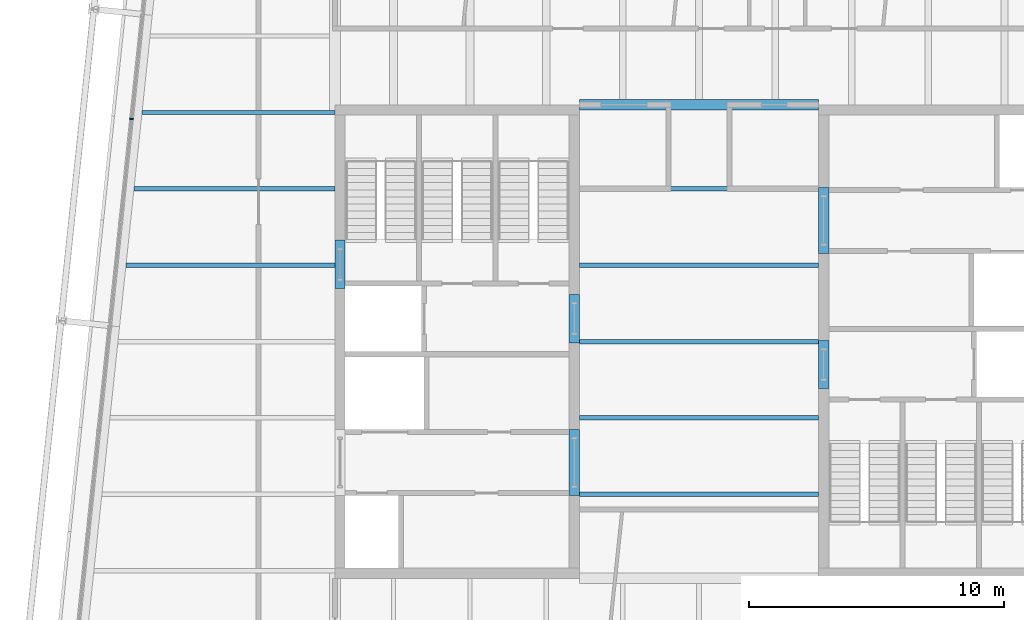
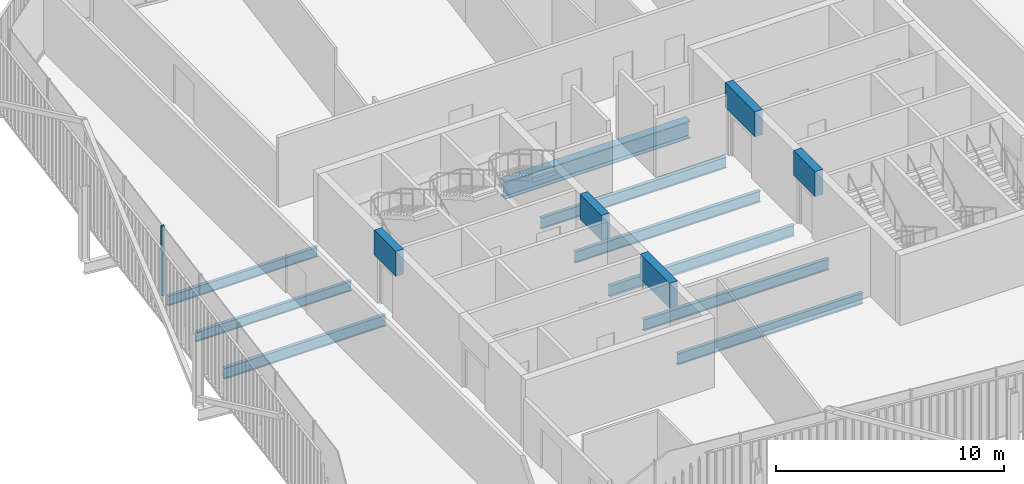
# One storey, part 8 of 21: 14 beams, 1 member, 1 element without a shape of its own.
"""IFC4 building model written with IfcOpenShell, lengths in metres."""

from ifc_helpers import new_model, si_unit, direction, frame, origin, origin_2d, place, context, subcontext, project, spatial, rectangle, i_section, extrude, material, layer, layer_set, material_profile, profile_set, type_object, element, aggregate, save


model = new_model("IFC4")

# Units and contexts
model_context = context("Model", 3, precision=1e-05, world=origin(), true_north=direction((0.0, 1.0)))
body_context = subcontext(model_context, "Body", "Model", "MODEL_VIEW")
ifc_project = project(units=[si_unit("LENGTHUNIT", "METRE"), si_unit("AREAUNIT", "SQUARE_METRE"), si_unit("VOLUMEUNIT", "CUBIC_METRE"), si_unit("PLANEANGLEUNIT", "RADIAN"), si_unit("MASSUNIT", "GRAM", prefix="KILO")], contexts=[model_context])

# Site, building, storey
site_placement = place(None, origin())
site = spatial("IfcSite", under=ifc_project, at=site_placement, CompositionType="ELEMENT")
building_placement = place(site_placement, origin())
building = spatial("IfcBuilding", under=site, at=building_placement, Name="Millrace Tower", CompositionType="ELEMENT")
storey_placement = place(building_placement, frame((0.0, 0.0, 283.800048828125)))
storey = spatial("IfcBuildingStorey", under=building, at=storey_placement, Name="L65", CompositionType="ELEMENT", Elevation=283.800048828125)

# Curtain wall, member
ifc_material_1 = material(Name="Aluminium and glass", Category="aluminium")
ifc_layer = layer(ifc_material_1, 0.14990234375)
ifc_layer_set = layer_set([ifc_layer], Name="Aluminium and glass")
curtain_wall_type = type_object("IfcCurtainWallType", Name="CW-1 office vision curtain wall", PredefinedType="NOTDEFINED", material=ifc_layer_set)
curtain_wall_placement = place(storey_placement, origin())
curtain_wall = element("IfcCurtainWall", 1, at=curtain_wall_placement, inside=storey, type_object=curtain_wall_type, Name="Curtain wall E-F08 L65", PredefinedType="NOTDEFINED")
ifc_material_2 = material(Name="Aluminium", Category="aluminium")
ifc_material_profile_1 = material_profile(ifc_material_2, rectangle(XDim=0.06494140625, YDim=0.14990234375, at=origin_2d()))
ifc_profile_set_1 = profile_set([ifc_material_profile_1], Name="Aluminium")
member_type = type_object("IfcMemberType", Name="CW-1 office vision curtain wall mullion", PredefinedType="MULLION", material=ifc_profile_set_1)
member_placement = place(storey_placement, frame((-22.2890625, 8.742431640625, 0.139892578125), z_axis=(0.0, 0.0, 1.0), x_axis=(-0.104528455196, -0.994521896217, 0.0)))
member = element("IfcMember", 2, at=member_placement, type_object=member_type, Name="CW1 mullion E-F08.5", PredefinedType="MULLION", context=body_context, shape_type="SweptSolid", body=[
    extrude(rectangle(XDim=0.06494140625, YDim=0.14990234375, at=origin_2d()), origin(), (0.0, 0.0, 1.0), 3.760009765625),
])
aggregate(curtain_wall, [member])

# Beams
ifc_material_3 = material(Name="Concrete C60", Category="concrete")
ifc_material_profile_2 = material_profile(ifc_material_3, rectangle(XDim=0.39990234375, YDim=1.340087890625, at=origin_2d()))
ifc_profile_set_2 = profile_set([ifc_material_profile_2], Name="Concrete C60")
beam_type_1 = type_object("IfcBeamType", Name="Coupling beam 400 x 1340 Concrete C60, 1300 opening", PredefinedType="BEAM", material=ifc_profile_set_2)
beam_1_placement = place(storey_placement, frame((-14.10009765625, 2.080078125, 3.070068359375), z_axis=(0.0, 1.0, 0.0), x_axis=(-1.0, 0.0, 0.0)))
element("IfcBeam", 3, at=beam_1_placement, inside=storey, type_object=beam_type_1, Name="Coupling beam W L65", PredefinedType="BEAM", context=body_context, shape_type="SweptSolid", body=[
    extrude(rectangle(XDim=0.39990234375, YDim=1.340087890625, at=origin_2d()), origin(), (0.0, 0.0, 1.0), 1.89990234375),
])
for number, where, z_axis, x_axis, name in (
    (4, (-4.89990234375, -0.050048828125, 3.070068359375), (0.0, 1.0, 0.0), (-1.0, 0.0, 0.0), "Coupling beam W L65"),
    (5, (4.89990234375, 0.050048828125, 3.070068359375), (0.0, -1.0, 0.0), (1.0, 0.0, 0.0), "Coupling beam E L65"),
):
    element("IfcBeam", number, at=place(storey_placement, frame(where, z_axis=z_axis, x_axis=x_axis)), inside=storey, type_object=beam_type_1, Name=name, PredefinedType="BEAM", context=body_context, shape_type="SweptSolid", body=[
        extrude(rectangle(XDim=0.39990234375, YDim=1.340087890625, at=origin_2d()), origin(), (0.0, 0.0, 1.0), 1.900146484375),
    ])
ifc_material_4 = material(Name="Concrete C60", Category="concrete")
ifc_material_profile_3 = material_profile(ifc_material_4, rectangle(XDim=0.39990234375, YDim=1.340087890625, at=origin_2d()))
ifc_profile_set_3 = profile_set([ifc_material_profile_3], Name="Concrete C60")
beam_type_2 = type_object("IfcBeamType", Name="Coupling beam 400 x 1340 Concrete C60, 2000 opening", PredefinedType="BEAM", material=ifc_profile_set_3)
for number, where, z_axis, x_axis, name in (
    (6, (-4.89990234375, -6.050048828125, 3.070068359375), (0.0, 1.0, 0.0), (-1.0, 0.0, 0.0), "Coupling beam W L65"),
    (7, (4.89990234375, 6.050048828125, 3.070068359375), (0.0, -1.0, 0.0), (1.0, 0.0, 0.0), "Coupling beam E L65"),
):
    element("IfcBeam", number, at=place(storey_placement, frame(where, z_axis=z_axis, x_axis=x_axis)), inside=storey, type_object=beam_type_2, Name=name, PredefinedType="BEAM", context=body_context, shape_type="SweptSolid", body=[
        extrude(rectangle(XDim=0.39990234375, YDim=1.340087890625, at=origin_2d()), origin(), (0.0, 0.0, 1.0), 2.60009765625),
    ])
ifc_material_5 = material(Name="Steel ASTM A992 Grade 50", Category="steel")
ifc_material_profile_4 = material_profile(ifc_material_5, i_section(OverallWidth=0.1650390625, OverallDepth=0.52587890625, WebThickness=0.0087890625, FlangeThickness=0.011474609375, FilletRadius=0.0126953125, at=origin_2d()))
ifc_profile_set_4 = profile_set([ifc_material_profile_4], Name="Steel ASTM A992 Grade 50")
beam_type_3 = type_object("IfcBeamType", Name="Floor beam W21x44", PredefinedType="JOIST", material=ifc_profile_set_4)
beam_2_placement = place(storey_placement, frame((-22.19287109375, 6.0, -0.4228515625), z_axis=(1.0, 0.0, 0.0), x_axis=(0.0, 1.0, 0.0)))
element("IfcBeam", 8, at=beam_2_placement, inside=storey, type_object=beam_type_3, Name="BM-E-L65-S1-S021", PredefinedType="JOIST", context=body_context, shape_type="SweptSolid", body=[
    extrude(i_section(OverallWidth=0.1650390625, OverallDepth=0.52587890625, WebThickness=0.0087890625, FlangeThickness=0.011474609375, FilletRadius=0.0126953125, at=origin_2d()), origin(), (0.0, 0.0, 1.0), 7.892822265625),
])
beam_3_placement = place(storey_placement, frame((-21.87744140625, 9.0, -0.4228515625), z_axis=(1.0, 0.0, 0.0), x_axis=(0.0, 1.0, 0.0)))
element("IfcBeam", 9, at=beam_3_placement, inside=storey, type_object=beam_type_3, Name="BM-E-L65-S1-S023", PredefinedType="JOIST", context=body_context, shape_type="SweptSolid", body=[
    extrude(i_section(OverallWidth=0.1650390625, OverallDepth=0.52587890625, WebThickness=0.0087890625, FlangeThickness=0.011474609375, FilletRadius=0.0126953125, at=origin_2d()), origin(), (0.0, 0.0, 1.0), 7.577392578125),
])
ifc_material_6 = material(Name="Steel ASTM A992 Grade 50", Category="steel")
ifc_material_profile_5 = material_profile(ifc_material_6, i_section(OverallWidth=0.177978515625, OverallDepth=0.599365234375, WebThickness=0.010009765625, FlangeThickness=0.012939453125, FilletRadius=0.012939453125, at=origin_2d()))
ifc_profile_set_5 = profile_set([ifc_material_profile_5], Name="Steel ASTM A992 Grade 50")
beam_type_4 = type_object("IfcBeamType", Name="Floor beam W24x55", PredefinedType="JOIST", material=ifc_profile_set_5)
for number, where, z_axis, x_axis, name in (
    (10, (-4.699951171875, -6.0, -0.459716796875), (1.0, 0.0, 0.0), (0.0, 1.0, 0.0), "BM-E-L65-S1-S008"),
    (11, (-4.699951171875, -3.0, -0.459716796875), (1.0, 0.0, 0.0), (0.0, 1.0, 0.0), "BM-E-L65-S1-S011"),
    (12, (-4.699951171875, 0.0, -0.459716796875), (1.0, 0.0, 0.0), (0.0, 1.0, 0.0), "BM-E-L65-S1-S014"),
    (13, (-4.699951171875, 3.0, -0.459716796875), (1.0, 0.0, 0.0), (0.0, 1.0, 0.0), "BM-E-L65-S1-S017"),
):
    element("IfcBeam", number, at=place(storey_placement, frame(where, z_axis=z_axis, x_axis=x_axis)), inside=storey, type_object=beam_type_4, Name=name, PredefinedType="JOIST", context=body_context, shape_type="SweptSolid", body=[
        extrude(i_section(OverallWidth=0.177978515625, OverallDepth=0.599365234375, WebThickness=0.010009765625, FlangeThickness=0.012939453125, FilletRadius=0.012939453125, at=origin_2d()), origin(), (0.0, 0.0, 1.0), 9.39990234375),
    ])
beam_4_placement = place(storey_placement, frame((-22.508056640625, 3.0, -0.459716796875), z_axis=(1.0, 0.0, 0.0), x_axis=(0.0, 1.0, 0.0)))
element("IfcBeam", 14, at=beam_4_placement, inside=storey, type_object=beam_type_4, Name="BM-E-L65-S1-S018", PredefinedType="JOIST", context=body_context, shape_type="SweptSolid", body=[
    extrude(i_section(OverallWidth=0.177978515625, OverallDepth=0.599365234375, WebThickness=0.010009765625, FlangeThickness=0.012939453125, FilletRadius=0.012939453125, at=origin_2d()), origin(), (0.0, 0.0, 1.0), 8.2080078125),
])
beam_5_placement = place(storey_placement, frame((-4.699951171875, 6.0, -0.459716796875), z_axis=(1.0, 0.0, 0.0), x_axis=(0.0, 1.0, 0.0)))
element("IfcBeam", 15, at=beam_5_placement, inside=storey, type_object=beam_type_4, Name="BM-E-L65-S1-S020", PredefinedType="JOIST", context=body_context, shape_type="SweptSolid", body=[
    extrude(i_section(OverallWidth=0.177978515625, OverallDepth=0.599365234375, WebThickness=0.010009765625, FlangeThickness=0.012939453125, FilletRadius=0.012939453125, at=origin_2d()), origin(), (0.0, 0.0, 1.0), 9.39990234375),
])
ifc_material_7 = material(Name="Steel ASTM A992 Grade 50", Category="steel")
ifc_material_profile_6 = material_profile(ifc_material_7, i_section(OverallWidth=0.419189453125, OverallDepth=0.927001953125, WebThickness=0.019287109375, FlangeThickness=0.031982421875, FilletRadius=0.024169921875, at=origin_2d()))
ifc_profile_set_6 = profile_set([ifc_material_profile_6], Name="Steel ASTM A992 Grade 50")
beam_type_5 = type_object("IfcBeamType", Name="Girder short span W36x231", PredefinedType="BEAM", material=ifc_profile_set_6)
beam_6_placement = place(storey_placement, frame((-4.699951171875, 9.300048828125, -0.62353515625), z_axis=(1.0, 0.0, 0.0), x_axis=(0.0, 1.0, 0.0)))
element("IfcBeam", 16, at=beam_6_placement, inside=storey, type_object=beam_type_5, Name="BM-E-L65-S1-G058", PredefinedType="BEAM", context=body_context, shape_type="SweptSolid", body=[
    extrude(i_section(OverallWidth=0.419189453125, OverallDepth=0.927001953125, WebThickness=0.019287109375, FlangeThickness=0.031982421875, FilletRadius=0.024169921875, at=origin_2d()), origin(), (0.0, 0.0, 1.0), 9.39990234375),
])

save(model, "model.ifc")
